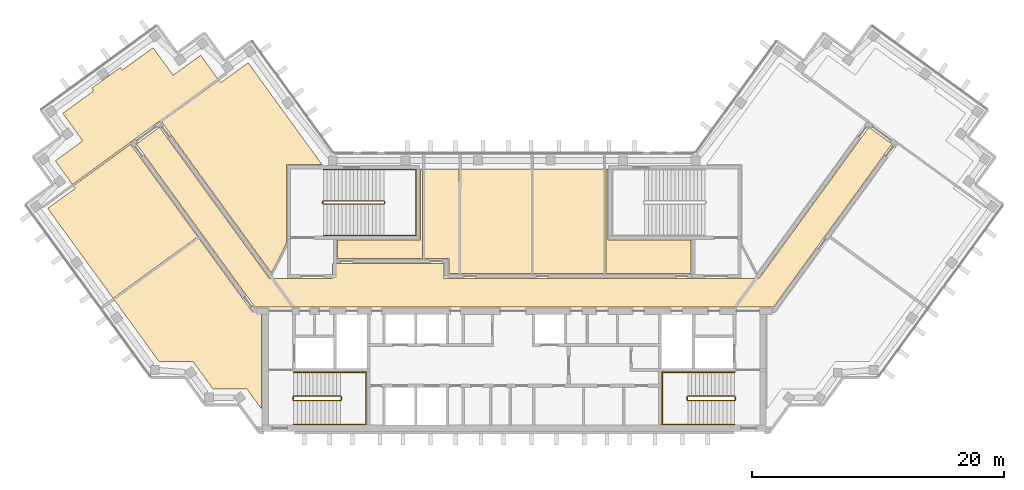
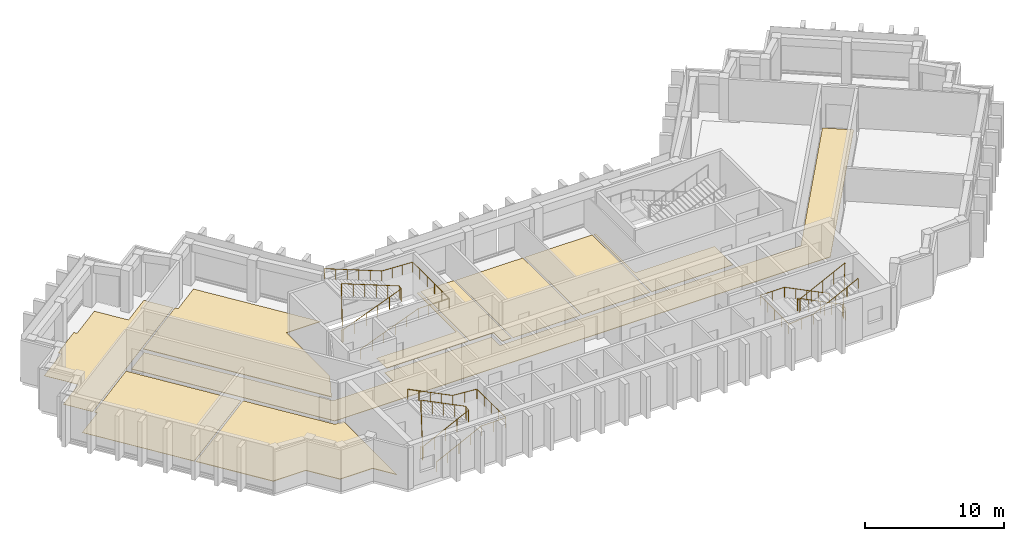
# One storey, part 8 of 9: 10 coverings, 6 railings.
"""IFC4 building model written with IfcOpenShell, lengths in metres."""

from ifc_helpers import new_model, si_unit, direction, frame, origin, origin_2d, place, context, subcontext, project, spatial, polyline, circle, outline, extrude, material, layer, layer_set, type_object, element, save


model = new_model("IFC4")

# Units and contexts
model_context = context("Model", 3, precision=1e-05, world=origin(), true_north=direction((0.0, 1.0)))
body_context = subcontext(model_context, "Body", "Model", "MODEL_VIEW")
ifc_project = project(units=[si_unit("LENGTHUNIT", "METRE"), si_unit("AREAUNIT", "SQUARE_METRE"), si_unit("VOLUMEUNIT", "CUBIC_METRE"), si_unit("PLANEANGLEUNIT", "RADIAN"), si_unit("MASSUNIT", "GRAM", prefix="KILO")], contexts=[model_context])

# Site, building, storey
site_placement = place(None, origin())
site = spatial("IfcSite", under=ifc_project, at=site_placement, CompositionType="ELEMENT")
building_placement = place(site_placement, origin())
building = spatial("IfcBuilding", under=site, at=building_placement, Name="Quipu Civic Tower", CompositionType="ELEMENT")
storey_placement = place(building_placement, frame((0.0, 0.0, 331.0)))
storey = spatial("IfcBuildingStorey", under=building, at=storey_placement, Name="L77", CompositionType="ELEMENT", Elevation=331.0)

# Coverings
ifc_material_1 = material(Name="Carpet tile on raised access floor")
ifc_layer_1 = layer(ifc_material_1, 0.02001953125)
ifc_layer_set_1 = layer_set([ifc_layer_1], Name="Carpet tile on raised access floor")
covering_type_1 = type_object("IfcCoveringType", Name="Carpet tile floor finish 20", PredefinedType="FLOORING", material=ifc_layer_set_1)
covering_1_placement = place(storey_placement, origin())
element("IfcCovering", 1, at=covering_1_placement, inside=storey, type_object=covering_type_1, Name="Carpet tile floor finish 20", PredefinedType="FLOORING", context=body_context, shape_type="SweptSolid", body=[
    extrude(outline(polyline([(-36.425048828125, 10.47705078125), (-34.240966796875, 12.06396484375), (-35.826904296875, 14.248046875), (-33.3701171875, 16.032958984375), (-33.52197265625, 16.2451171875), (-31.27099609375, 17.8798828125), (-31.116943359375, 17.6708984375), (-28.658935546875, 19.455078125), (-27.073974609375, 17.27197265625), (-24.888916015625, 18.85791015625), (-23.531005859375, 16.989013671875), (-35.068115234375, 8.60791015625), (-36.425048828125, 10.47705078125)])), origin(), (0.0, 0.0, 1.0), 0.02001953125),
])
covering_2_placement = place(storey_placement, origin())
element("IfcCovering", 2, at=covering_2_placement, inside=storey, type_object=covering_type_1, Name="Carpet tile floor finish 20", PredefinedType="FLOORING", context=body_context, shape_type="SweptSolid", body=[
    extrude(outline(polyline([(-4.2490234375, 9.830078125), (1.368896484375, 9.830078125), (1.368896484375, 1.52001953125), (-4.2490234375, 1.52001953125), (-4.2490234375, 9.830078125)])), origin(), (0.0, 0.0, 1.0), 0.02001953125),
])
ifc_material_2 = material(Name="Ceramic floor tile")
ifc_layer_2 = layer(ifc_material_2, 0.030029296875)
ifc_layer_set_2 = layer_set([ifc_layer_2], Name="Ceramic floor tile")
covering_type_2 = type_object("IfcCoveringType", Name="Ceramic tile floor finish 30", PredefinedType="FLOORING", material=ifc_layer_set_2)
covering_3_placement = place(storey_placement, origin())
element("IfcCovering", 3, at=covering_3_placement, inside=storey, type_object=covering_type_2, Name="Ceramic tile floor finish 30", PredefinedType="FLOORING", context=body_context, shape_type="SweptSolid", body=[
    extrude(outline(polyline([(1.510009765625, 9.830078125), (7.1279296875, 9.830078125), (7.1279296875, 1.52001953125), (1.510009765625, 1.52001953125), (1.510009765625, 9.830078125)])), origin(), (0.0, 0.0, 1.0), 0.030029296875),
])
covering_4_placement = place(storey_placement, origin())
element("IfcCovering", 4, at=covering_4_placement, inside=storey, type_object=covering_type_2, Name="Ceramic tile floor finish 30", PredefinedType="FLOORING", context=body_context, shape_type="SweptSolid", body=[
    extrude(outline(polyline([(-37.02197265625, 6.7060546875), (-34.839111328125, 8.291015625), (-34.985107421875, 8.493896484375), (-30.446044921875, 11.7919921875), (-25.117919921875, 4.4580078125), (-31.841064453125, -0.426025390625), (-37.02197265625, 6.7060546875)])), origin(), (0.0, 0.0, 1.0), 0.030029296875),
])
covering_5_placement = place(storey_placement, origin())
element("IfcCovering", 5, at=covering_5_placement, inside=storey, type_object=covering_type_2, Name="Ceramic tile floor finish 30", PredefinedType="FLOORING", context=body_context, shape_type="SweptSolid", body=[
    extrude(outline(polyline([(-14.030029296875, 4.179931640625), (-7.430908203125, 4.179931640625), (-7.429931640625, 9.830078125), (-7.26806640625, 9.830078125), (-7.26806640625, 2.719970703125), (-14.030029296875, 2.719970703125), (-14.030029296875, 4.179931640625)])), origin(), (0.0, 0.0, 1.0), 0.030029296875),
])
covering_6_placement = place(storey_placement, origin())
element("IfcCovering", 6, at=covering_6_placement, inside=storey, type_object=covering_type_2, Name="Ceramic tile floor finish 30", PredefinedType="FLOORING", context=body_context, shape_type="SweptSolid", body=[
    extrude(outline(polyline([(7.26806640625, 1.52001953125), (7.26806640625, 9.830078125), (7.429931640625, 9.830078125), (7.429931640625, 4.180908203125), (14.030029296875, 4.179931640625), (14.030029296875, 1.52001953125), (7.26806640625, 1.52001953125)])), origin(), (0.0, 0.0, 1.0), 0.030029296875),
])
ifc_material_3 = material(Name="Sealed cement screed")
ifc_layer_3 = layer(ifc_material_3, 0.050048828125)
ifc_layer_set_3 = layer_set([ifc_layer_3], Name="Sealed cement screed")
covering_type_3 = type_object("IfcCoveringType", Name="Sealed screed floor finish 50", PredefinedType="FLOORING", material=ifc_layer_set_3)
covering_7_placement = place(storey_placement, origin())
element("IfcCovering", 7, at=covering_7_placement, inside=storey, type_object=covering_type_3, Name="Sealed screed floor finish 50", PredefinedType="FLOORING", context=body_context, shape_type="SweptSolid", body=[
    extrude(outline(polyline([(-7.1279296875, 2.719970703125), (-7.1279296875, 9.830078125), (-4.388916015625, 9.830078125), (-4.388916015625, 1.52001953125), (-5.179931640625, 1.52001953125), (-5.180908203125, 2.719970703125), (-7.1279296875, 2.719970703125)])), origin(), (0.0, 0.0, 1.0), 0.050048828125),
])
covering_8_placement = place(storey_placement, origin())
element("IfcCovering", 8, at=covering_8_placement, inside=storey, type_object=covering_type_3, Name="Sealed screed floor finish 50", PredefinedType="FLOORING", context=body_context, shape_type="SweptSolid", body=[
    extrude(outline(polyline([(-27.987060546875, 13.5791015625), (-23.447998046875, 16.876953125), (-23.299072265625, 16.676025390625), (-21.115966796875, 18.260986328125), (-15.238037109375, 10.169921875), (-18.070068359375, 10.1689453125), (-18.070068359375, 3.94189453125), (-19.27197265625, 1.583984375), (-27.987060546875, 13.5791015625)])), origin(), (0.0, 0.0, 1.0), 0.050048828125),
])
covering_9_placement = place(storey_placement, origin())
element("IfcCovering", 9, at=covering_9_placement, inside=storey, type_object=covering_type_3, Name="Sealed screed floor finish 50", PredefinedType="FLOORING", context=body_context, shape_type="SweptSolid", body=[
    extrude(outline(polyline([(-31.758056640625, -0.5390625), (-25.034912109375, 4.344970703125), (-20.77490234375, -1.51904296875), (-20.070068359375, -1.52001953125), (-20.070068359375, -9.195068359375), (-21.196044921875, -7.64599609375), (-23.89501953125, -7.64599609375), (-25.48193359375, -5.4619140625), (-28.181884765625, -5.4609375), (-31.758056640625, -0.5390625)])), origin(), (0.0, 0.0, 1.0), 0.050048828125),
])

# Railings
ifc_material_4 = material(Name="Stainless steel", Category="steel")
railing_type_1 = type_object("IfcRailingType", Name="Stair guard 1100", PredefinedType="GUARDRAIL", material=ifc_material_4)
railing_1_placement = place(storey_placement, frame((-17.5, -8.550048828125, 0.15380859375)))
element("IfcRailing", 10, at=railing_1_placement, inside=storey, type_object=railing_type_1, Name="Stair 1 guard", PredefinedType="GUARDRAIL", context=body_context, shape_type="SweptSolid", body=[
    extrude(circle(Radius=0.02392578125, at=origin_2d()), frame((0.0, 0.0, 1.076171875), z_axis=(0.895751851347, 0.0, 0.444554407028), x_axis=(0.0, 1.0, 0.0)), (0.0, 0.0, 1.0), 4.15283203125),
    extrude(circle(Radius=0.02392578125, at=origin_2d()), frame((3.719970703125, 0.0, 2.92236328125), z_axis=(0.707106781187, 0.707106781187, 0.0), x_axis=(-0.707106781187, 0.707106781187, 0.0)), (0.0, 0.0, 1.0), 0.07080078125),
    extrude(circle(Radius=0.02392578125, at=origin_2d()), frame((3.77001953125, 0.050048828125, 2.92236328125), z_axis=(0.0, 1.0, 0.0), x_axis=(-1.0, 0.0, 0.0)), (0.0, 0.0, 1.0), 0.25),
    extrude(circle(Radius=0.02392578125, at=origin_2d()), frame((3.77001953125, 0.300048828125, 2.92236328125), z_axis=(-0.295599637079, 0.295599637079, 0.908428152975), x_axis=(-0.707106781187, -0.707106781187, 0.0)), (0.0, 0.0, 1.0), 0.16943359375),
    extrude(circle(Radius=0.02392578125, at=origin_2d()), frame((3.719970703125, 0.35009765625, 3.076171875), z_axis=(-0.895751851347, 0.0, 0.444554407028), x_axis=(0.0, -1.0, 0.0)), (0.0, 0.0, 1.0), 4.15283203125),
    extrude(circle(Radius=0.02392578125, at=origin_2d()), frame((0.0, 0.35009765625, 4.92236328125), z_axis=(-0.012476181752, -0.074796231092, -0.997120789425), x_axis=(0.986372223864, -0.164529134168, 0.0)), (0.0, 0.0, 1.0), 4.011474609375),
    extrude(circle(Radius=0.02392578125, at=origin_2d()), frame((-0.050048828125, 0.050048828125, 0.92236328125), z_axis=(0.0, 1.0, 0.0), x_axis=(-1.0, 0.0, 0.0)), (0.0, 0.0, 1.0), 0.25),
    extrude(circle(Radius=0.02099609375, at=origin_2d()), origin(), (0.0, 0.0, 1.0), 1.052001953125),
    extrude(circle(Radius=0.02099609375, at=origin_2d()), frame((0.929931640625, 0.0, 0.46142578125)), (0.0, 0.0, 1.0), 1.052001953125),
    extrude(circle(Radius=0.02099609375, at=origin_2d()), frame((1.85986328125, 0.0, 0.923095703125)), (0.0, 0.0, 1.0), 1.052001953125),
    extrude(circle(Radius=0.02099609375, at=origin_2d()), frame((2.7900390625, 0.0, 1.384765625)), (0.0, 0.0, 1.0), 1.052001953125),
    extrude(circle(Radius=0.02099609375, at=origin_2d()), frame((3.719970703125, 0.0, 1.84619140625)), (0.0, 0.0, 1.0), 1.052001953125),
    extrude(circle(Radius=0.02099609375, at=origin_2d()), frame((3.77001953125, 0.050048828125, 1.84619140625)), (0.0, 0.0, 1.0), 1.052001953125),
    extrude(circle(Radius=0.02099609375, at=origin_2d()), frame((3.77001953125, 0.300048828125, 1.84619140625)), (0.0, 0.0, 1.0), 1.052001953125),
    extrude(circle(Radius=0.02099609375, at=origin_2d()), frame((3.719970703125, 0.35009765625, 2.0)), (0.0, 0.0, 1.0), 1.052001953125),
    extrude(circle(Radius=0.02099609375, at=origin_2d()), frame((2.7900390625, 0.35009765625, 2.46142578125)), (0.0, 0.0, 1.0), 1.052001953125),
    extrude(circle(Radius=0.02099609375, at=origin_2d()), frame((1.85986328125, 0.35009765625, 2.923095703125)), (0.0, 0.0, 1.0), 1.052001953125),
    extrude(circle(Radius=0.02099609375, at=origin_2d()), frame((0.929931640625, 0.35009765625, 3.384765625)), (0.0, 0.0, 1.0), 1.052001953125),
    extrude(circle(Radius=0.02099609375, at=origin_2d()), frame((0.0, 0.35009765625, 3.84619140625)), (0.0, 0.0, 1.0), 1.052001953125),
    extrude(circle(Radius=0.02099609375, at=origin_2d()), frame((-0.012451171875, 0.275146484375, 2.84619140625)), (0.0, 0.0, 1.0), 1.052001953125),
    extrude(circle(Radius=0.02099609375, at=origin_2d()), frame((-0.02490234375, 0.2001953125, 1.84619140625)), (0.0, 0.0, 1.0), 1.052001953125),
    extrude(circle(Radius=0.02099609375, at=origin_2d()), frame((-0.03759765625, 0.125, 0.84619140625)), (0.0, 0.0, 1.0), 1.052001953125),
    extrude(circle(Radius=0.02099609375, at=origin_2d()), frame((-0.050048828125, 0.050048828125, -0.15380859375)), (0.0, 0.0, 1.0), 1.052001953125),
    extrude(circle(Radius=0.02099609375, at=origin_2d()), frame((-0.050048828125, 0.300048828125, -0.15380859375)), (0.0, 0.0, 1.0), 1.052001953125),
])
railing_2_placement = place(storey_placement, frame((17.5, -8.199951171875, 0.15380859375)))
element("IfcRailing", 11, at=railing_2_placement, inside=storey, type_object=railing_type_1, Name="Stair 2 guard", PredefinedType="GUARDRAIL", context=body_context, shape_type="SweptSolid", body=[
    extrude(circle(Radius=0.02392578125, at=origin_2d()), frame((0.0, 0.0, 1.076171875), z_axis=(-0.895751851347, 0.0, 0.444554407028), x_axis=(0.0, -1.0, 0.0)), (0.0, 0.0, 1.0), 4.15283203125),
    extrude(circle(Radius=0.02392578125, at=origin_2d()), frame((-3.719970703125, 0.0, 2.92236328125), z_axis=(-0.707106781187, -0.707106781187, 0.0), x_axis=(0.707106781187, -0.707106781187, 0.0)), (0.0, 0.0, 1.0), 0.07080078125),
    extrude(circle(Radius=0.02392578125, at=origin_2d()), frame((-3.77001953125, -0.050048828125, 2.92236328125), z_axis=(0.0, -1.0, 0.0), x_axis=(1.0, 0.0, 0.0)), (0.0, 0.0, 1.0), 0.25),
    extrude(circle(Radius=0.02392578125, at=origin_2d()), frame((-3.77001953125, -0.300048828125, 2.92236328125), z_axis=(0.295599637079, -0.295599637079, 0.908428152975), x_axis=(0.707106781187, 0.707106781187, 0.0)), (0.0, 0.0, 1.0), 0.16943359375),
    extrude(circle(Radius=0.02392578125, at=origin_2d()), frame((-3.719970703125, -0.35009765625, 3.076171875), z_axis=(0.895751851347, 0.0, 0.444554407028), x_axis=(0.0, 1.0, 0.0)), (0.0, 0.0, 1.0), 4.15283203125),
    extrude(circle(Radius=0.02392578125, at=origin_2d()), frame((0.0, -0.35009765625, 4.92236328125), z_axis=(0.012476181752, 0.074796231092, -0.997120789425), x_axis=(-0.986372223864, 0.164529134168, 0.0)), (0.0, 0.0, 1.0), 4.011474609375),
    extrude(circle(Radius=0.02392578125, at=origin_2d()), frame((0.050048828125, -0.050048828125, 0.92236328125), z_axis=(0.0, -1.0, 0.0), x_axis=(1.0, 0.0, 0.0)), (0.0, 0.0, 1.0), 0.25),
    extrude(circle(Radius=0.02099609375, at=origin_2d()), origin(), (0.0, 0.0, 1.0), 1.052001953125),
    extrude(circle(Radius=0.02099609375, at=origin_2d()), frame((-0.929931640625, 0.0, 0.46142578125)), (0.0, 0.0, 1.0), 1.052001953125),
    extrude(circle(Radius=0.02099609375, at=origin_2d()), frame((-1.85986328125, 0.0, 0.923095703125)), (0.0, 0.0, 1.0), 1.052001953125),
    extrude(circle(Radius=0.02099609375, at=origin_2d()), frame((-2.7900390625, 0.0, 1.384765625)), (0.0, 0.0, 1.0), 1.052001953125),
    extrude(circle(Radius=0.02099609375, at=origin_2d()), frame((-3.719970703125, 0.0, 1.84619140625)), (0.0, 0.0, 1.0), 1.052001953125),
    extrude(circle(Radius=0.02099609375, at=origin_2d()), frame((-3.77001953125, -0.050048828125, 1.84619140625)), (0.0, 0.0, 1.0), 1.052001953125),
    extrude(circle(Radius=0.02099609375, at=origin_2d()), frame((-3.77001953125, -0.300048828125, 1.84619140625)), (0.0, 0.0, 1.0), 1.052001953125),
    extrude(circle(Radius=0.02099609375, at=origin_2d()), frame((-3.719970703125, -0.35009765625, 2.0)), (0.0, 0.0, 1.0), 1.052001953125),
    extrude(circle(Radius=0.02099609375, at=origin_2d()), frame((-2.7900390625, -0.35009765625, 2.46142578125)), (0.0, 0.0, 1.0), 1.052001953125),
    extrude(circle(Radius=0.02099609375, at=origin_2d()), frame((-1.85986328125, -0.35009765625, 2.923095703125)), (0.0, 0.0, 1.0), 1.052001953125),
    extrude(circle(Radius=0.02099609375, at=origin_2d()), frame((-0.929931640625, -0.35009765625, 3.384765625)), (0.0, 0.0, 1.0), 1.052001953125),
    extrude(circle(Radius=0.02099609375, at=origin_2d()), frame((0.0, -0.35009765625, 3.84619140625)), (0.0, 0.0, 1.0), 1.052001953125),
    extrude(circle(Radius=0.02099609375, at=origin_2d()), frame((0.012451171875, -0.275146484375, 2.84619140625)), (0.0, 0.0, 1.0), 1.052001953125),
    extrude(circle(Radius=0.02099609375, at=origin_2d()), frame((0.02490234375, -0.2001953125, 1.84619140625)), (0.0, 0.0, 1.0), 1.052001953125),
    extrude(circle(Radius=0.02099609375, at=origin_2d()), frame((0.03759765625, -0.125, 0.84619140625)), (0.0, 0.0, 1.0), 1.052001953125),
    extrude(circle(Radius=0.02099609375, at=origin_2d()), frame((0.050048828125, -0.050048828125, -0.15380859375)), (0.0, 0.0, 1.0), 1.052001953125),
    extrude(circle(Radius=0.02099609375, at=origin_2d()), frame((0.050048828125, -0.300048828125, -0.15380859375)), (0.0, 0.0, 1.0), 1.052001953125),
])
railing_3_placement = place(storey_placement, frame((-15.14990234375, 7.050048828125, 0.11767578125)))
element("IfcRailing", 12, at=railing_3_placement, inside=storey, type_object=railing_type_1, Name="Stair 3 guard", PredefinedType="GUARDRAIL", context=body_context, shape_type="SweptSolid", body=[
    extrude(circle(Radius=0.02392578125, at=origin_2d()), frame((0.0, 0.0, 1.076171875), z_axis=(0.930970042603, 0.0, 0.365095576219), x_axis=(0.0, 1.0, 0.0)), (0.0, 0.0, 1.0), 5.15576171875),
    extrude(circle(Radius=0.02392578125, at=origin_2d()), frame((4.7998046875, 0.0, 2.95849609375), z_axis=(0.707106781187, 0.707106781187, 0.0), x_axis=(-0.707106781187, 0.707106781187, 0.0)), (0.0, 0.0, 1.0), 0.07080078125),
    extrude(circle(Radius=0.02392578125, at=origin_2d()), frame((4.849853515625, 0.050048828125, 2.95849609375), z_axis=(0.0, 1.0, 0.0), x_axis=(-1.0, 0.0, 0.0)), (0.0, 0.0, 1.0), 0.14990234375),
    extrude(circle(Radius=0.02392578125, at=origin_2d()), frame((4.849853515625, 0.199951171875, 2.95849609375), z_axis=(-0.364463019033, 0.364463019033, 0.856932561824), x_axis=(-0.707106781187, -0.707106781187, 0.0)), (0.0, 0.0, 1.0), 0.13720703125),
    extrude(circle(Radius=0.02392578125, at=origin_2d()), frame((4.7998046875, 0.25, 3.076171875), z_axis=(-0.930970042603, 0.0, 0.365095576219), x_axis=(0.0, -1.0, 0.0)), (0.0, 0.0, 1.0), 5.15576171875),
    extrude(circle(Radius=0.02392578125, at=origin_2d()), frame((0.0, 0.25, 4.95849609375), z_axis=(-0.012495627992, -0.049921557685, -0.998674970829), x_axis=(0.970072785993, -0.242814311512, 0.0)), (0.0, 0.0, 1.0), 4.00537109375),
    extrude(circle(Radius=0.02392578125, at=origin_2d()), frame((-0.050048828125, 0.050048828125, 0.95849609375), z_axis=(0.0, 1.0, 0.0), x_axis=(-1.0, 0.0, 0.0)), (0.0, 0.0, 1.0), 0.14990234375),
    extrude(circle(Radius=0.02099609375, at=origin_2d()), origin(), (0.0, 0.0, 1.0), 1.052001953125),
    extrude(circle(Radius=0.02099609375, at=origin_2d()), frame((0.9599609375, 0.0, 0.37646484375)), (0.0, 0.0, 1.0), 1.052001953125),
    extrude(circle(Radius=0.02099609375, at=origin_2d()), frame((1.919921875, 0.0, 0.7529296875)), (0.0, 0.0, 1.0), 1.052001953125),
    extrude(circle(Radius=0.02099609375, at=origin_2d()), frame((2.8798828125, 0.0, 1.12939453125)), (0.0, 0.0, 1.0), 1.052001953125),
    extrude(circle(Radius=0.02099609375, at=origin_2d()), frame((3.83984375, 0.0, 1.505859375)), (0.0, 0.0, 1.0), 1.052001953125),
    extrude(circle(Radius=0.02099609375, at=origin_2d()), frame((4.7998046875, 0.0, 1.88232421875)), (0.0, 0.0, 1.0), 1.052001953125),
    extrude(circle(Radius=0.02099609375, at=origin_2d()), frame((4.849853515625, 0.050048828125, 1.88232421875)), (0.0, 0.0, 1.0), 1.052001953125),
    extrude(circle(Radius=0.02099609375, at=origin_2d()), frame((4.849853515625, 0.199951171875, 1.88232421875)), (0.0, 0.0, 1.0), 1.052001953125),
    extrude(circle(Radius=0.02099609375, at=origin_2d()), frame((4.7998046875, 0.25, 2.0)), (0.0, 0.0, 1.0), 1.052001953125),
    extrude(circle(Radius=0.02099609375, at=origin_2d()), frame((3.83984375, 0.25, 2.37646484375)), (0.0, 0.0, 1.0), 1.052001953125),
    extrude(circle(Radius=0.02099609375, at=origin_2d()), frame((2.8798828125, 0.25, 2.7529296875)), (0.0, 0.0, 1.0), 1.052001953125),
    extrude(circle(Radius=0.02099609375, at=origin_2d()), frame((1.919921875, 0.25, 3.12939453125)), (0.0, 0.0, 1.0), 1.052001953125),
    extrude(circle(Radius=0.02099609375, at=origin_2d()), frame((0.9599609375, 0.25, 3.505859375)), (0.0, 0.0, 1.0), 1.052001953125),
    extrude(circle(Radius=0.02099609375, at=origin_2d()), frame((0.0, 0.25, 3.88232421875)), (0.0, 0.0, 1.0), 1.052001953125),
    extrude(circle(Radius=0.02099609375, at=origin_2d()), frame((-0.012451171875, 0.199951171875, 2.88232421875)), (0.0, 0.0, 1.0), 1.052001953125),
    extrude(circle(Radius=0.02099609375, at=origin_2d()), frame((-0.02490234375, 0.14990234375, 1.88232421875)), (0.0, 0.0, 1.0), 1.052001953125),
    extrude(circle(Radius=0.02099609375, at=origin_2d()), frame((-0.03759765625, 0.10009765625, 0.88232421875)), (0.0, 0.0, 1.0), 1.052001953125),
    extrude(circle(Radius=0.02099609375, at=origin_2d()), frame((-0.050048828125, 0.050048828125, -0.11767578125)), (0.0, 0.0, 1.0), 1.052001953125),
    extrude(circle(Radius=0.02099609375, at=origin_2d()), frame((-0.050048828125, 0.199951171875, -0.11767578125)), (0.0, 0.0, 1.0), 1.052001953125),
])
ifc_material_5 = material(Name="Stainless steel", Category="steel")
railing_type_2 = type_object("IfcRailingType", Name="Stair handrail", PredefinedType="HANDRAIL", material=ifc_material_5)
railing_4_placement = place(storey_placement, frame((-17.5, -10.449951171875, 0.15380859375)))
element("IfcRailing", 13, at=railing_4_placement, inside=storey, type_object=railing_type_2, Name="Stair 1 handrail", PredefinedType="HANDRAIL", context=body_context, shape_type="SweptSolid", body=[
    extrude(circle(Radius=0.02392578125, at=origin_2d()), frame((0.0, 0.0, 0.8759765625), z_axis=(0.895751851347, 0.0, 0.444554407028), x_axis=(0.0, 1.0, 0.0)), (0.0, 0.0, 1.0), 4.15283203125),
    extrude(circle(Radius=0.02392578125, at=origin_2d()), frame((3.719970703125, 0.0, 2.72216796875), z_axis=(1.0, 0.0, 0.0), x_axis=(0.0, 1.0, 0.0)), (0.0, 0.0, 1.0), 2.030029296875),
    extrude(circle(Radius=0.02392578125, at=origin_2d()), frame((5.75, 0.0, 2.72216796875), z_axis=(0.0, 1.0, 0.0), x_axis=(-1.0, 0.0, 0.0)), (0.0, 0.0, 1.0), 4.14990234375),
    extrude(circle(Radius=0.02392578125, at=origin_2d()), frame((5.75, 4.14990234375, 2.72216796875), z_axis=(-0.997142003663, 0.0, 0.075550145798), x_axis=(0.0, -1.0, 0.0)), (0.0, 0.0, 1.0), 2.035888671875),
    extrude(circle(Radius=0.02392578125, at=origin_2d()), frame((3.719970703125, 4.14990234375, 2.8759765625), z_axis=(-0.895751851347, 0.0, 0.444554407028), x_axis=(0.0, -1.0, 0.0)), (0.0, 0.0, 1.0), 4.15283203125),
    extrude(circle(Radius=0.02099609375, at=origin_2d()), origin(), (0.0, 0.0, 1.0), 0.851806640625),
    extrude(circle(Radius=0.02099609375, at=origin_2d()), frame((0.929931640625, 0.0, 0.46142578125)), (0.0, 0.0, 1.0), 0.851806640625),
    extrude(circle(Radius=0.02099609375, at=origin_2d()), frame((1.85986328125, 0.0, 0.923095703125)), (0.0, 0.0, 1.0), 0.851806640625),
    extrude(circle(Radius=0.02099609375, at=origin_2d()), frame((2.7900390625, 0.0, 1.384765625)), (0.0, 0.0, 1.0), 0.851806640625),
    extrude(circle(Radius=0.02099609375, at=origin_2d()), frame((3.719970703125, 0.0, 1.84619140625)), (0.0, 0.0, 1.0), 0.851806640625),
    extrude(circle(Radius=0.02099609375, at=origin_2d()), frame((4.73486328125, 0.0, 1.84619140625)), (0.0, 0.0, 1.0), 0.851806640625),
    extrude(circle(Radius=0.02099609375, at=origin_2d()), frame((5.75, 0.0, 1.84619140625)), (0.0, 0.0, 1.0), 0.851806640625),
    extrude(circle(Radius=0.02099609375, at=origin_2d()), frame((5.75, 1.03759765625, 1.84619140625)), (0.0, 0.0, 1.0), 0.851806640625),
    extrude(circle(Radius=0.02099609375, at=origin_2d()), frame((5.75, 2.074951171875, 1.84619140625)), (0.0, 0.0, 1.0), 0.851806640625),
    extrude(circle(Radius=0.02099609375, at=origin_2d()), frame((5.75, 3.1123046875, 1.84619140625)), (0.0, 0.0, 1.0), 0.851806640625),
    extrude(circle(Radius=0.02099609375, at=origin_2d()), frame((5.75, 4.14990234375, 1.84619140625)), (0.0, 0.0, 1.0), 0.851806640625),
    extrude(circle(Radius=0.02099609375, at=origin_2d()), frame((4.73486328125, 4.14990234375, 1.923095703125)), (0.0, 0.0, 1.0), 0.851806640625),
    extrude(circle(Radius=0.02099609375, at=origin_2d()), frame((3.719970703125, 4.14990234375, 2.0)), (0.0, 0.0, 1.0), 0.851806640625),
    extrude(circle(Radius=0.02099609375, at=origin_2d()), frame((2.7900390625, 4.14990234375, 2.46142578125)), (0.0, 0.0, 1.0), 0.851806640625),
    extrude(circle(Radius=0.02099609375, at=origin_2d()), frame((1.85986328125, 4.14990234375, 2.923095703125)), (0.0, 0.0, 1.0), 0.851806640625),
    extrude(circle(Radius=0.02099609375, at=origin_2d()), frame((0.929931640625, 4.14990234375, 3.384765625)), (0.0, 0.0, 1.0), 0.851806640625),
    extrude(circle(Radius=0.02099609375, at=origin_2d()), frame((0.0, 4.14990234375, 3.84619140625)), (0.0, 0.0, 1.0), 0.851806640625),
])
railing_5_placement = place(storey_placement, frame((17.5, -6.300048828125, 0.15380859375)))
element("IfcRailing", 14, at=railing_5_placement, inside=storey, type_object=railing_type_2, Name="Stair 2 handrail", PredefinedType="HANDRAIL", context=body_context, shape_type="SweptSolid", body=[
    extrude(circle(Radius=0.02392578125, at=origin_2d()), frame((0.0, 0.0, 0.8759765625), z_axis=(-0.895751851347, 0.0, 0.444554407028), x_axis=(0.0, -1.0, 0.0)), (0.0, 0.0, 1.0), 4.15283203125),
    extrude(circle(Radius=0.02392578125, at=origin_2d()), frame((-3.719970703125, 0.0, 2.72216796875), z_axis=(-1.0, 0.0, 0.0), x_axis=(0.0, -1.0, 0.0)), (0.0, 0.0, 1.0), 2.030029296875),
    extrude(circle(Radius=0.02392578125, at=origin_2d()), frame((-5.75, 0.0, 2.72216796875), z_axis=(0.0, -1.0, 0.0), x_axis=(1.0, 0.0, 0.0)), (0.0, 0.0, 1.0), 4.14990234375),
    extrude(circle(Radius=0.02392578125, at=origin_2d()), frame((-5.75, -4.14990234375, 2.72216796875), z_axis=(0.997142003663, 0.0, 0.075550145798), x_axis=(0.0, 1.0, 0.0)), (0.0, 0.0, 1.0), 2.035888671875),
    extrude(circle(Radius=0.02392578125, at=origin_2d()), frame((-3.719970703125, -4.14990234375, 2.8759765625), z_axis=(0.895751851347, 0.0, 0.444554407028), x_axis=(0.0, 1.0, 0.0)), (0.0, 0.0, 1.0), 4.15283203125),
    extrude(circle(Radius=0.02099609375, at=origin_2d()), origin(), (0.0, 0.0, 1.0), 0.851806640625),
    extrude(circle(Radius=0.02099609375, at=origin_2d()), frame((-0.929931640625, 0.0, 0.46142578125)), (0.0, 0.0, 1.0), 0.851806640625),
    extrude(circle(Radius=0.02099609375, at=origin_2d()), frame((-1.85986328125, 0.0, 0.923095703125)), (0.0, 0.0, 1.0), 0.851806640625),
    extrude(circle(Radius=0.02099609375, at=origin_2d()), frame((-2.7900390625, 0.0, 1.384765625)), (0.0, 0.0, 1.0), 0.851806640625),
    extrude(circle(Radius=0.02099609375, at=origin_2d()), frame((-3.719970703125, 0.0, 1.84619140625)), (0.0, 0.0, 1.0), 0.851806640625),
    extrude(circle(Radius=0.02099609375, at=origin_2d()), frame((-4.73486328125, 0.0, 1.84619140625)), (0.0, 0.0, 1.0), 0.851806640625),
    extrude(circle(Radius=0.02099609375, at=origin_2d()), frame((-5.75, 0.0, 1.84619140625)), (0.0, 0.0, 1.0), 0.851806640625),
    extrude(circle(Radius=0.02099609375, at=origin_2d()), frame((-5.75, -1.03759765625, 1.84619140625)), (0.0, 0.0, 1.0), 0.851806640625),
    extrude(circle(Radius=0.02099609375, at=origin_2d()), frame((-5.75, -2.074951171875, 1.84619140625)), (0.0, 0.0, 1.0), 0.851806640625),
    extrude(circle(Radius=0.02099609375, at=origin_2d()), frame((-5.75, -3.1123046875, 1.84619140625)), (0.0, 0.0, 1.0), 0.851806640625),
    extrude(circle(Radius=0.02099609375, at=origin_2d()), frame((-5.75, -4.14990234375, 1.84619140625)), (0.0, 0.0, 1.0), 0.851806640625),
    extrude(circle(Radius=0.02099609375, at=origin_2d()), frame((-4.73486328125, -4.14990234375, 1.923095703125)), (0.0, 0.0, 1.0), 0.851806640625),
    extrude(circle(Radius=0.02099609375, at=origin_2d()), frame((-3.719970703125, -4.14990234375, 2.0)), (0.0, 0.0, 1.0), 0.851806640625),
    extrude(circle(Radius=0.02099609375, at=origin_2d()), frame((-2.7900390625, -4.14990234375, 2.46142578125)), (0.0, 0.0, 1.0), 0.851806640625),
    extrude(circle(Radius=0.02099609375, at=origin_2d()), frame((-1.85986328125, -4.14990234375, 2.923095703125)), (0.0, 0.0, 1.0), 0.851806640625),
    extrude(circle(Radius=0.02099609375, at=origin_2d()), frame((-0.929931640625, -4.14990234375, 3.384765625)), (0.0, 0.0, 1.0), 0.851806640625),
    extrude(circle(Radius=0.02099609375, at=origin_2d()), frame((0.0, -4.14990234375, 3.84619140625)), (0.0, 0.0, 1.0), 0.851806640625),
])
railing_6_placement = place(storey_placement, frame((-15.14990234375, 4.550048828125, 0.11767578125)))
element("IfcRailing", 15, at=railing_6_placement, inside=storey, type_object=railing_type_2, Name="Stair 3 handrail", PredefinedType="HANDRAIL", context=body_context, shape_type="SweptSolid", body=[
    extrude(circle(Radius=0.02392578125, at=origin_2d()), frame((0.0, 0.0, 0.8759765625), z_axis=(0.930970042603, 0.0, 0.365095576219), x_axis=(0.0, 1.0, 0.0)), (0.0, 0.0, 1.0), 5.15576171875),
    extrude(circle(Radius=0.02392578125, at=origin_2d()), frame((4.7998046875, 0.0, 2.75830078125), z_axis=(1.0, 0.0, 0.0), x_axis=(0.0, 1.0, 0.0)), (0.0, 0.0, 1.0), 2.550048828125),
    extrude(circle(Radius=0.02392578125, at=origin_2d()), frame((7.349853515625, 0.0, 2.75830078125), z_axis=(0.0, 1.0, 0.0), x_axis=(-1.0, 0.0, 0.0)), (0.0, 0.0, 1.0), 5.25),
    extrude(circle(Radius=0.02392578125, at=origin_2d()), frame((7.349853515625, 5.25, 2.75830078125), z_axis=(-0.998936948642, 0.0, 0.04609742549), x_axis=(0.0, -1.0, 0.0)), (0.0, 0.0, 1.0), 2.552734375),
    extrude(circle(Radius=0.02392578125, at=origin_2d()), frame((4.7998046875, 5.25, 2.8759765625), z_axis=(-0.930970042603, 0.0, 0.365095576219), x_axis=(0.0, -1.0, 0.0)), (0.0, 0.0, 1.0), 5.15576171875),
    extrude(circle(Radius=0.02099609375, at=origin_2d()), origin(), (0.0, 0.0, 1.0), 0.851806640625),
    extrude(circle(Radius=0.02099609375, at=origin_2d()), frame((0.9599609375, 0.0, 0.37646484375)), (0.0, 0.0, 1.0), 0.851806640625),
    extrude(circle(Radius=0.02099609375, at=origin_2d()), frame((1.919921875, 0.0, 0.7529296875)), (0.0, 0.0, 1.0), 0.851806640625),
    extrude(circle(Radius=0.02099609375, at=origin_2d()), frame((2.8798828125, 0.0, 1.12939453125)), (0.0, 0.0, 1.0), 0.851806640625),
    extrude(circle(Radius=0.02099609375, at=origin_2d()), frame((3.83984375, 0.0, 1.505859375)), (0.0, 0.0, 1.0), 0.851806640625),
    extrude(circle(Radius=0.02099609375, at=origin_2d()), frame((4.7998046875, 0.0, 1.88232421875)), (0.0, 0.0, 1.0), 0.851806640625),
    extrude(circle(Radius=0.02099609375, at=origin_2d()), frame((5.64990234375, 0.0, 1.88232421875)), (0.0, 0.0, 1.0), 0.851806640625),
    extrude(circle(Radius=0.02099609375, at=origin_2d()), frame((6.499755859375, 0.0, 1.88232421875)), (0.0, 0.0, 1.0), 0.851806640625),
    extrude(circle(Radius=0.02099609375, at=origin_2d()), frame((7.349853515625, 0.0, 1.88232421875)), (0.0, 0.0, 1.0), 0.851806640625),
    extrude(circle(Radius=0.02099609375, at=origin_2d()), frame((7.349853515625, 1.050048828125, 1.88232421875)), (0.0, 0.0, 1.0), 0.851806640625),
    extrude(circle(Radius=0.02099609375, at=origin_2d()), frame((7.349853515625, 2.10009765625, 1.88232421875)), (0.0, 0.0, 1.0), 0.851806640625),
    extrude(circle(Radius=0.02099609375, at=origin_2d()), frame((7.349853515625, 3.14990234375, 1.88232421875)), (0.0, 0.0, 1.0), 0.851806640625),
    extrude(circle(Radius=0.02099609375, at=origin_2d()), frame((7.349853515625, 4.199951171875, 1.88232421875)), (0.0, 0.0, 1.0), 0.851806640625),
    extrude(circle(Radius=0.02099609375, at=origin_2d()), frame((7.349853515625, 5.25, 1.88232421875)), (0.0, 0.0, 1.0), 0.851806640625),
    extrude(circle(Radius=0.02099609375, at=origin_2d()), frame((6.499755859375, 5.25, 1.921630859375)), (0.0, 0.0, 1.0), 0.851806640625),
    extrude(circle(Radius=0.02099609375, at=origin_2d()), frame((5.64990234375, 5.25, 1.960693359375)), (0.0, 0.0, 1.0), 0.851806640625),
    extrude(circle(Radius=0.02099609375, at=origin_2d()), frame((4.7998046875, 5.25, 2.0)), (0.0, 0.0, 1.0), 0.851806640625),
    extrude(circle(Radius=0.02099609375, at=origin_2d()), frame((3.83984375, 5.25, 2.37646484375)), (0.0, 0.0, 1.0), 0.851806640625),
    extrude(circle(Radius=0.02099609375, at=origin_2d()), frame((2.8798828125, 5.25, 2.7529296875)), (0.0, 0.0, 1.0), 0.851806640625),
    extrude(circle(Radius=0.02099609375, at=origin_2d()), frame((1.919921875, 5.25, 3.12939453125)), (0.0, 0.0, 1.0), 0.851806640625),
    extrude(circle(Radius=0.02099609375, at=origin_2d()), frame((0.9599609375, 5.25, 3.505859375)), (0.0, 0.0, 1.0), 0.851806640625),
    extrude(circle(Radius=0.02099609375, at=origin_2d()), frame((0.0, 5.25, 3.88232421875)), (0.0, 0.0, 1.0), 0.851806640625),
])

# Covering
ifc_material_6 = material(Name="Terrazzo floor finish")
ifc_layer_4 = layer(ifc_material_6, 0.0400390625)
ifc_layer_set_4 = layer_set([ifc_layer_4], Name="Terrazzo floor finish")
covering_type_4 = type_object("IfcCoveringType", Name="Terrazzo floor finish 40", PredefinedType="FLOORING", material=ifc_layer_set_4)
covering_10_placement = place(storey_placement, origin())
element("IfcCovering", 16, at=covering_10_placement, inside=storey, type_object=covering_type_4, Name="Terrazzo floor finish 40", PredefinedType="FLOORING", context=body_context, shape_type="SweptSolid", body=[
    extrude(outline(polyline([(19.425048828125, 1.1298828125), (28.155029296875, 13.14697265625), (29.98291015625, 11.819091796875), (20.574951171875, -1.1298828125), (-20.574951171875, -1.1298828125), (-29.98291015625, 11.819091796875), (-28.155029296875, 13.14697265625), (-19.425048828125, 1.1298828125), (-14.429931640625, 1.1298828125), (-14.429931640625, 2.330078125), (-5.570068359375, 2.330078125), (-5.570068359375, 1.1298828125), (19.425048828125, 1.1298828125)])), origin(), (0.0, 0.0, 1.0), 0.0400390625),
])

save(model, "model.ifc")
